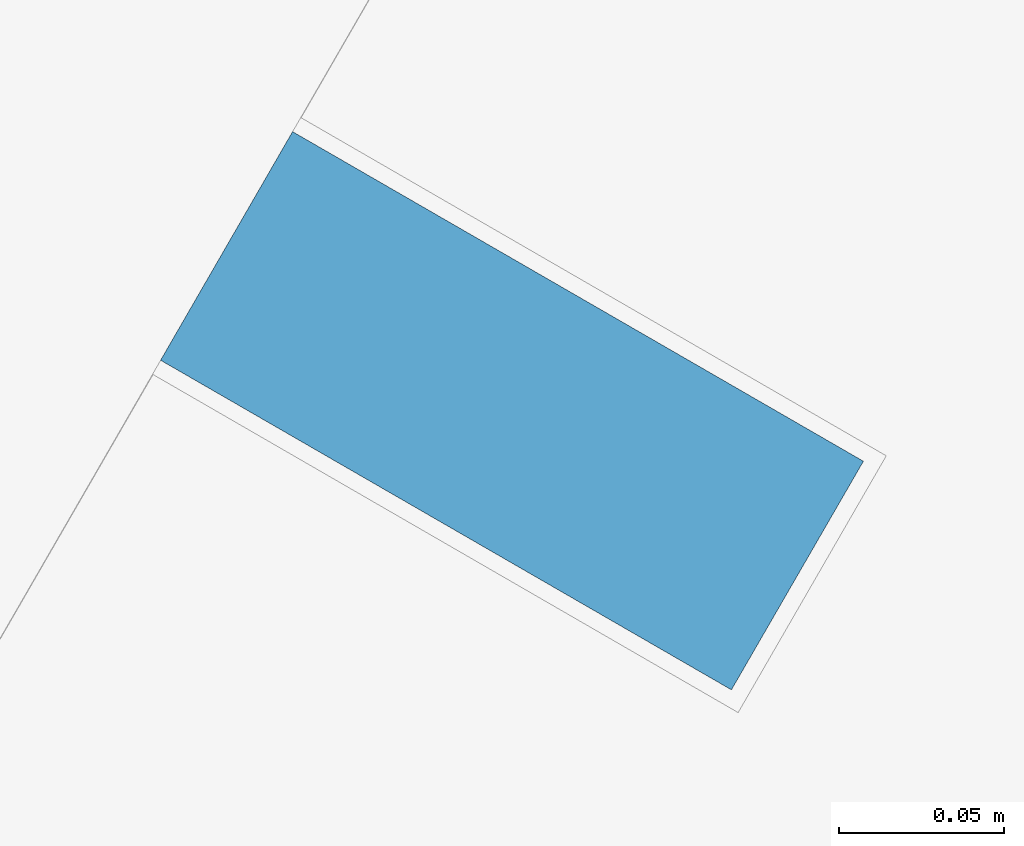
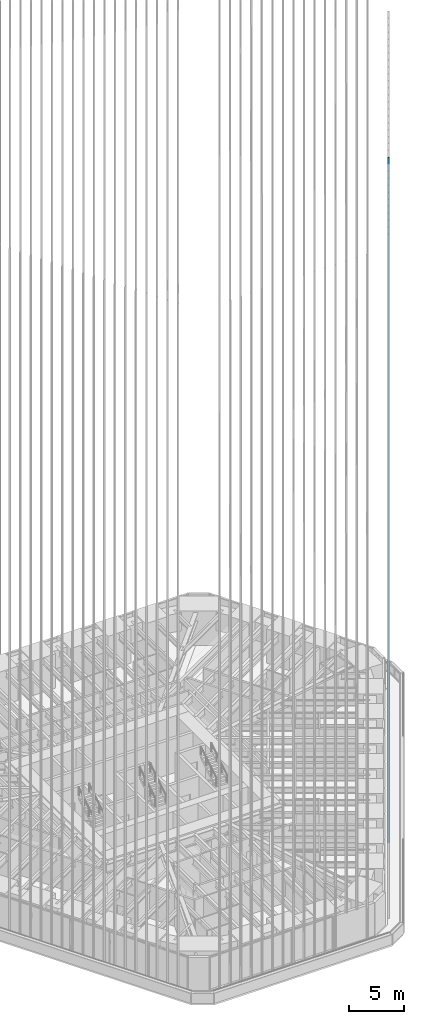
# One storey, part 86 of 238: 1 member, 1 element without a shape of its own.
"""IFC4 building model written with IfcOpenShell, lengths in metres."""

from ifc_helpers import new_model, si_unit, direction, frame, origin, origin_2d, place, context, subcontext, project, spatial, rectangle, extrude, material, material_profile, profile_set, type_object, element, aggregate, save


model = new_model("IFC4")

# Units and contexts
model_context = context("Model", 3, precision=1e-05, world=origin(), true_north=direction((0.0, 1.0)))
body_context = subcontext(model_context, "Body", "Model", "MODEL_VIEW")
ifc_project = project(units=[si_unit("LENGTHUNIT", "METRE"), si_unit("AREAUNIT", "SQUARE_METRE"), si_unit("VOLUMEUNIT", "CUBIC_METRE"), si_unit("PLANEANGLEUNIT", "RADIAN"), si_unit("MASSUNIT", "GRAM", prefix="KILO")], contexts=[model_context])

# Site, building, storey
site_placement = place(None, origin())
site = spatial("IfcSite", under=ifc_project, at=site_placement, CompositionType="ELEMENT")
building_placement = place(site_placement, origin())
building = spatial("IfcBuilding", under=site, at=building_placement, Name="Sandreach Pilgrim Tower", CompositionType="ELEMENT")
storey_placement = place(building_placement, frame((0.0, 0.0, 96.800048828125)))
storey = spatial("IfcBuildingStorey", under=building, at=storey_placement, Name="L23", CompositionType="ELEMENT", Elevation=96.800048828125)

# Curtain wall, member
ifc_material_1 = material(Name="Aluminium framed curtain wall", Category="aluminium")
curtain_wall_type = type_object("IfcCurtainWallType", Name="Hotel tower curtain wall", PredefinedType="NOTDEFINED", material=ifc_material_1)
curtain_wall_placement = place(storey_placement, origin())
curtain_wall = element("IfcCurtainWall", 1, at=curtain_wall_placement, inside=storey, type_object=curtain_wall_type, Name="CW-2 L23 SE", PredefinedType="NOTDEFINED")
ifc_material_2 = material(Name="Extruded terracotta on aluminium core", Category="masonry")
ifc_material_profile = material_profile(ifc_material_2, rectangle(XDim=0.080078125, YDim=0.199951171875, at=origin_2d()), Name="TBE 80X200")
ifc_profile_set = profile_set([ifc_material_profile], Name="Extruded terracotta on aluminium core")
member_type = type_object("IfcMemberType", Name="Terracotta baguette east", PredefinedType="USERDEFINED", material=ifc_profile_set)
member_placement = place(storey_placement, frame((17.07470703125, -16.213134765625, 0.0), z_axis=(0.0, 0.0, 1.0), x_axis=(-0.5, -0.866025403784, 0.0)))
member = element("IfcMember", 2, at=member_placement, type_object=member_type, Name="Baguette Z2 SE22", ObjectType="BAGUETTE", PredefinedType="USERDEFINED", context=body_context, shape_type="SweptSolid", body=[
    extrude(rectangle(XDim=0.080078125, YDim=0.199951171875, at=origin_2d()), origin(), (0.0, 0.0, 1.0), 75.83984375),
])
aggregate(curtain_wall, [member])

save(model, "model.ifc")
